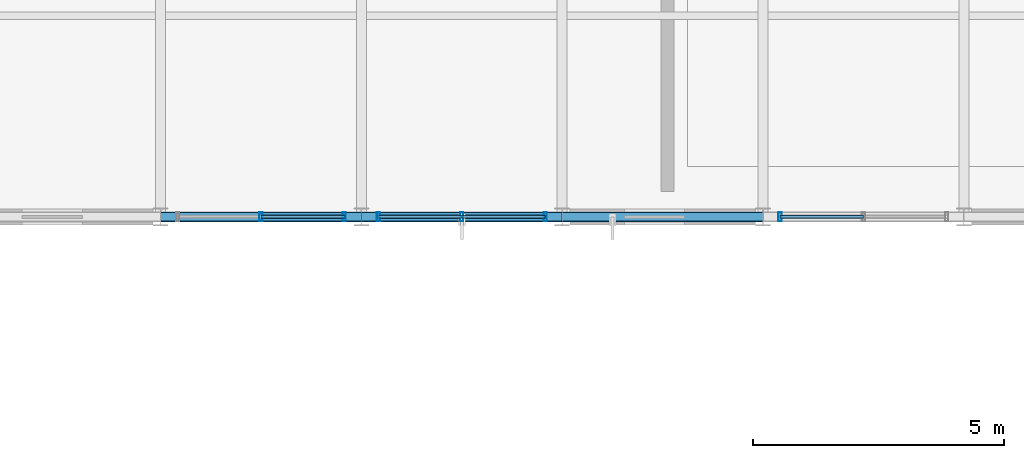
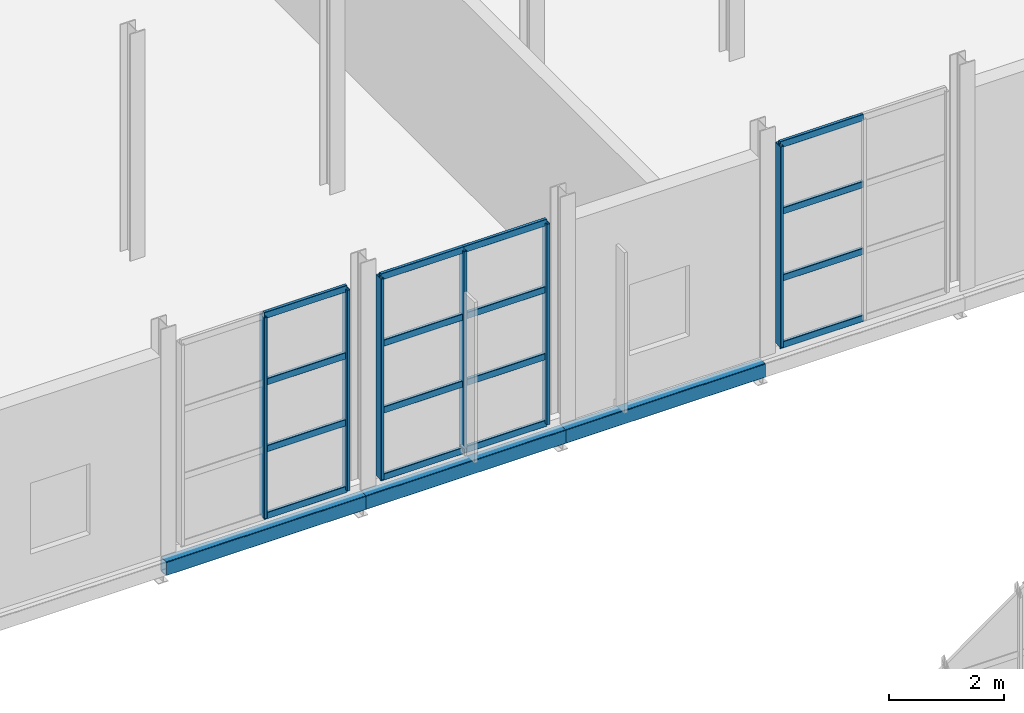
# One storey, part 92 of 143: 22 members, 3 beams, 3 elements without a shape of their own.
"""IFC4 building model written with IfcOpenShell, lengths in metres."""

import ifcopenshell
import ifcopenshell.guid

model = None  # the IFC model being written
_history = None  # IfcOwnerHistory: only IFC2X3 demands one
_inside = {}  # id of a spatial element -> (the spatial element, [elements in it])
_under = {}  # id of a project, library or spatial element -> (it, [spatial elements below it])
_declared = {}  # id of a project -> (the project, [libraries it declares])
_typed = {}  # id of a type object -> (the type object, [elements of that type])
_made_of = {}  # id of a material, layer set ... -> (it, [elements and type objects made of it])


def new_model(schema):
    """Start an empty IFC model of exactly this schema.

    Asked for "IFC4X3", IfcOpenShell would pick the latest addendum, in which some entities
    have other attributes; the version numbers below select the first issue.
    IFC2X3 requires an IfcOwnerHistory on every rooted entity: one is made here for all.
    """
    global model, _history
    if schema == "IFC4X3":
        model = ifcopenshell.file(schema_version=(4, 3, 0, 0))
    else:
        model = ifcopenshell.file(schema=schema)
    _inside.clear()
    _under.clear()
    _declared.clear()
    _typed.clear()
    _made_of.clear()
    _history = None
    if model.schema == "IFC2X3":
        org = make("IfcOrganization", Name="unknown")
        user = make(
            "IfcPersonAndOrganization",
            ThePerson=make("IfcPerson", FamilyName="unknown"),
            TheOrganization=org,
        )
        app = make(
            "IfcApplication",
            ApplicationDeveloper=org,
            Version="unknown",
            ApplicationFullName="unknown",
            ApplicationIdentifier="unknown",
        )
        _history = make(
            "IfcOwnerHistory",
            OwningUser=user,
            OwningApplication=app,
            ChangeAction="ADDED",
            CreationDate=0,
        )
    return model


def make(cls, **values):
    """One entity of the class cls with the attributes given. An attribute that is None is left unset."""
    return model.create_entity(
        cls, **{name: value for name, value in values.items() if value is not None}
    )


def rooted(cls, **values):
    """An entity with a GlobalId (a new one), such as an element, a storey or a relation."""
    return make(cls, GlobalId=ifcopenshell.guid.new(), OwnerHistory=_history, **values)


def si_unit(unit_type, name, prefix=None):
    """IfcSIUnit, for example si_unit("LENGTHUNIT", "METRE", prefix="MILLI")."""
    return make("IfcSIUnit", UnitType=unit_type, Prefix=prefix, Name=name)


def derived_unit(unit_type, elements):
    """IfcDerivedUnit: a product of units, each with its exponent."""
    return make(
        "IfcDerivedUnit",
        Elements=[
            make("IfcDerivedUnitElement", Unit=unit, Exponent=power)
            for unit, power in elements
        ],
        UnitType=unit_type,
    )


def assignment(units):
    """IfcUnitAssignment: the units of a project."""
    return None if units is None else make("IfcUnitAssignment", Units=units)


def point(xyz):
    """IfcCartesianPoint."""
    return None if xyz is None else make("IfcCartesianPoint", Coordinates=xyz)


def direction(xyz):
    """IfcDirection."""
    return None if xyz is None else make("IfcDirection", DirectionRatios=xyz)


def frame(location, z_axis=None, x_axis=None):
    """IfcAxis2Placement3D, a coordinate frame: its origin and axes. An axis left out is left unset."""
    return make(
        "IfcAxis2Placement3D",
        Location=point(location),
        Axis=direction(z_axis),
        RefDirection=direction(x_axis),
    )


def frame_2d(location, x_axis=None):
    """IfcAxis2Placement2D, a coordinate frame in the plane: its origin and x axis."""
    return make(
        "IfcAxis2Placement2D", Location=point(location), RefDirection=direction(x_axis)
    )


def origin():
    """The frame at (0, 0, 0) with its axes left unset."""
    return frame((0.0, 0.0, 0.0))


def origin_2d():
    """The frame at (0, 0) in the plane with its x axis left unset."""
    return frame_2d((0.0, 0.0))


def place(relative_to, where):
    """IfcLocalPlacement: puts the frame where relative to a parent placement (None: the world)."""
    return make(
        "IfcLocalPlacement", PlacementRelTo=relative_to, RelativePlacement=where
    )


def context(
    kind, dimensions, precision=None, world=None, true_north=None, identifier=None
):
    """IfcGeometricRepresentationContext, for example the 3D "Model" context."""
    return make(
        "IfcGeometricRepresentationContext",
        ContextIdentifier=identifier,
        ContextType=kind,
        CoordinateSpaceDimension=dimensions,
        Precision=precision,
        WorldCoordinateSystem=world,
        TrueNorth=true_north,
    )


def subcontext(parent, identifier, kind, view, scale=None):
    """IfcGeometricRepresentationSubContext, for example "Body" below "Model"."""
    return make(
        "IfcGeometricRepresentationSubContext",
        ContextIdentifier=identifier,
        ContextType=kind,
        ParentContext=parent,
        TargetScale=scale,
        TargetView=view,
    )


def project(units=None, contexts=None):
    """IfcProject with its units and contexts."""
    return rooted(
        "IfcProject",
        Name="project",
        RepresentationContexts=contexts,
        UnitsInContext=assignment(units),
    )


def spatial(cls, under=None, at=None, **own):
    """A site, building, storey or space (cls), placed at a placement, below another one or the project."""
    s = rooted(cls, ObjectPlacement=at, **own)
    if under is not None:
        _under.setdefault(under.id(), (under, []))[1].append(s)
    return s


def profile(cls, at=None, kind="AREA", **sizes):
    """A parametric profile (cls). Its sizes go by their IFC names, for example OverallWidth=200.0."""
    return make(cls, ProfileType=kind, Position=at, **sizes)


def hollow_rectangle(**sizes):
    """IfcRectangleHollowProfileDef."""
    return profile("IfcRectangleHollowProfileDef", **sizes)


def extrude(swept, where, along, depth):
    """IfcExtrudedAreaSolid: the profile swept, set in the frame where, extruded along a direction by depth."""
    return make(
        "IfcExtrudedAreaSolid",
        SweptArea=swept,
        Position=where,
        ExtrudedDirection=direction(along),
        Depth=depth,
    )


def shape(context_of_items, identifier, shape_type, items):
    """IfcShapeRepresentation: the items that make up one representation, for example the "Body"."""
    return make(
        "IfcShapeRepresentation",
        ContextOfItems=context_of_items,
        RepresentationIdentifier=identifier,
        RepresentationType=shape_type,
        Items=items,
    )


def material(Name=None, Category=None):
    """IfcMaterial."""
    return make("IfcMaterial", Name=Name, Category=Category)


def material_profile(
    of_material, cross_section, Name=None, Category=None, Priority=None
):
    """IfcMaterialProfile: a cross section and its material."""
    return make(
        "IfcMaterialProfile",
        Name=Name,
        Material=of_material,
        Profile=cross_section,
        Priority=Priority,
        Category=Category,
    )


def profile_set(profiles, Name=None, composite=None):
    """IfcMaterialProfileSet."""
    return make(
        "IfcMaterialProfileSet",
        Name=Name,
        MaterialProfiles=profiles,
        CompositeProfile=composite,
    )


def made_of(thing, what):
    """Note that an element or type object is made of a material, layer set ...; save() writes the relation."""
    if what is not None:
        _made_of.setdefault(what.id(), (what, []))[1].append(thing)
    return thing


def type_object(cls, material=None, **own):
    """A type object (cls), such as IfcWallType, which elements share."""
    return made_of(rooted(cls, **own), material)


def element(
    cls,
    number,
    at=None,
    inside=None,
    cuts=None,
    type_object=None,
    material=None,
    context=None,
    identifier="Body",
    shape_type=None,
    held_by="IfcProductDefinitionShape",
    body=None,
    shapes=None,
    **own,
):
    """One element of the class cls, such as IfcWall. Its Tag is "e" and its number.

    at: its placement. inside: the storey or other place that contains it. cuts: it is an
    opening in that element (IfcRelVoidsElement). A single representation is given by context,
    identifier, shape_type and body (its items); several are given by shapes. held_by: the class
    of the entity that holds the representations. save() writes the other relations.
    """
    e = rooted(cls, Tag="e%d" % number, ObjectPlacement=at, **own)
    if body is not None:
        shapes = [shape(context, identifier, shape_type, body)]
    if shapes is not None:
        e.Representation = make(held_by, Representations=shapes)
    if inside is not None:
        _inside.setdefault(inside.id(), (inside, []))[1].append(e)
    if cuts is not None:
        rooted(
            "IfcRelVoidsElement", RelatingBuildingElement=cuts, RelatedOpeningElement=e
        )
    if type_object is not None:
        _typed.setdefault(type_object.id(), (type_object, []))[1].append(e)
    return made_of(e, material)


def aggregate(whole, parts):
    """IfcRelAggregates: a whole, such as a stair, and the parts it consists of."""
    return rooted("IfcRelAggregates", RelatingObject=whole, RelatedObjects=parts)


def save(model, path):
    """Write the relations noted so far, then the file.

    IfcRelAggregates (storeys below a building ...), IfcRelContainedInSpatialStructure (elements
    in a storey), IfcRelDefinesByType, IfcRelAssociatesMaterial and IfcRelDeclares: one each for
    every whole, place, type object, material and project.
    """
    for whole, parts in _under.values():
        aggregate(whole, parts)
    for where, things in _inside.values():
        rooted(
            "IfcRelContainedInSpatialStructure",
            RelatedElements=things,
            RelatingStructure=where,
        )
    for kind, things in _typed.values():
        rooted("IfcRelDefinesByType", RelatedObjects=things, RelatingType=kind)
    for what, things in _made_of.values():
        rooted("IfcRelAssociatesMaterial", RelatedObjects=things, RelatingMaterial=what)
    for by, libraries in _declared.values():
        rooted("IfcRelDeclares", RelatingContext=by, RelatedDefinitions=libraries)
    model.write(path)


model = new_model("IFC4")

# Units and contexts
model_context = context("Model", 3, precision=1e-05, world=origin(), true_north=direction((0.0, 1.0)))
body_context = subcontext(model_context, "Body", "Model", "MODEL_VIEW")
ifc_project = project(units=[si_unit("LENGTHUNIT", "METRE"), si_unit("AREAUNIT", "SQUARE_METRE"), si_unit("VOLUMEUNIT", "CUBIC_METRE"), si_unit("PLANEANGLEUNIT", "RADIAN"), si_unit("MASSUNIT", "GRAM", prefix="KILO"), derived_unit("THERMALTRANSMITTANCEUNIT", [(si_unit("POWERUNIT", "WATT"), 1), (si_unit("LENGTHUNIT", "METRE"), -2), (si_unit("THERMODYNAMICTEMPERATUREUNIT", "KELVIN"), -1)])], contexts=[model_context])

# Site, building, storey
site_placement = place(None, origin())
site = spatial("IfcSite", under=ifc_project, at=site_placement, CompositionType="ELEMENT")
building_placement = place(site_placement, origin())
building = spatial("IfcBuilding", under=site, at=building_placement, Name="Keldorne Ridge Multi-Sports Centre", CompositionType="ELEMENT")
storey_placement = place(building_placement, frame((0.0, 0.0, 4.800048828125)))
storey = spatial("IfcBuildingStorey", under=building, at=storey_placement, Name="L01", CompositionType="ELEMENT", Elevation=4.800048828125)

# Beams
ifc_material_1 = material(Name="Steel S355", Category="steel")
ifc_material_profile_1 = material_profile(ifc_material_1, hollow_rectangle(XDim=0.199951171875, YDim=0.300048828125, WallThickness=0.012451171875, InnerFilletRadius=0.012451171875, OuterFilletRadius=0.02490234375, at=origin_2d()), Name="RHS 300x200x12.5")
ifc_profile_set_1 = profile_set([ifc_material_profile_1], Name="Steel S355")
beam_type = type_object("IfcBeamType", Name="BM-SP-01", PredefinedType="SPANDREL", material=ifc_profile_set_1)
for number, where, z_axis, x_axis, name in (
    (1, (132.0, 66.0, -0.3701171875), (1.0, 0.0, 0.0), (0.0, 1.0, 0.0), "L01 primary beam 6.66"),
    (2, (136.0, 66.0, -0.3701171875), (1.0, 0.0, 0.0), (0.0, 1.0, 0.0), "L01 primary beam 7.66"),
    (3, (140.0, 66.0, -0.3701171875), (1.0, 0.0, 0.0), (0.0, 1.0, 0.0), "L01 primary beam 8.66"),
):
    element("IfcBeam", number, at=place(storey_placement, frame(where, z_axis=z_axis, x_axis=x_axis)), inside=storey, type_object=beam_type, Name=name, PredefinedType="SPANDREL", context=body_context, shape_type="SweptSolid", body=[
        extrude(hollow_rectangle(XDim=0.199951171875, YDim=0.300048828125, WallThickness=0.012451171875, InnerFilletRadius=0.012451171875, OuterFilletRadius=0.02490234375, at=origin_2d()), origin(), (0.0, 0.0, 1.0), 4.0),
    ])

# Curtain wall, members
ifc_material_2 = material(Name="Anodized aluminium", Category="aluminium")
curtain_wall_type_1 = type_object("IfcCurtainWallType", Name="CW-CW-04", PredefinedType="NOTDEFINED", material=ifc_material_2)
curtain_wall_1_placement = place(storey_placement, origin())
curtain_wall_1 = element("IfcCurtainWall", 4, at=curtain_wall_1_placement, inside=storey, type_object=curtain_wall_type_1, Name="East Wing L01 south curtain wall 140", PredefinedType="NOTDEFINED")
ifc_material_profile_2 = material_profile(ifc_material_2, hollow_rectangle(XDim=0.06494140625, YDim=0.179931640625, WallThickness=0.00439453125, InnerFilletRadius=0.00439453125, OuterFilletRadius=0.009033203125, at=origin_2d()), Name="ALU MULLION 180x65x4.5")
ifc_profile_set_2 = profile_set([ifc_material_profile_2], Name="Anodized aluminium")
member_type_1 = type_object("IfcMemberType", Name="MEM-ML-01", PredefinedType="MULLION", material=ifc_profile_set_2)
member_1_placement = place(storey_placement, frame((134.0, 66.0, 0.0), z_axis=(0.0, 0.0, 1.0), x_axis=(1.0, 0.0, 0.0)))
member_1 = element("IfcMember", 5, at=member_1_placement, type_object=member_type_1, Name="CW-140 vertical mullion 2", PredefinedType="MULLION", context=body_context, shape_type="SweptSolid", body=[
    extrude(hollow_rectangle(XDim=0.06494140625, YDim=0.179931640625, WallThickness=0.00439453125, InnerFilletRadius=0.00439453125, OuterFilletRadius=0.009033203125, at=origin_2d()), origin(), (0.0, 0.0, 1.0), 4.25),
])
member_2_placement = place(storey_placement, frame((135.659912109375, 66.0, 0.0), z_axis=(0.0, 0.0, 1.0), x_axis=(1.0, 0.0, 0.0)))
member_2 = element("IfcMember", 6, at=member_2_placement, type_object=member_type_1, Name="CW-140 vertical mullion 3", PredefinedType="MULLION", context=body_context, shape_type="SweptSolid", body=[
    extrude(hollow_rectangle(XDim=0.06494140625, YDim=0.179931640625, WallThickness=0.00439453125, InnerFilletRadius=0.00439453125, OuterFilletRadius=0.009033203125, at=origin_2d()), origin(), (0.0, 0.0, 1.0), 4.25),
])

curtain_wall_type_2 = type_object("IfcCurtainWallType", Name="CW-CW-05", PredefinedType="NOTDEFINED", material=ifc_material_2)
curtain_wall_2_placement = place(storey_placement, origin())
curtain_wall_2 = element("IfcCurtainWall", 7, at=curtain_wall_2_placement, inside=storey, type_object=curtain_wall_type_2, Name="East Wing L01 south curtain wall 141", PredefinedType="NOTDEFINED")
member_3_placement = place(storey_placement, frame((136.340087890625, 66.0, 0.0), z_axis=(0.0, 0.0, 1.0), x_axis=(1.0, 0.0, 0.0)))
member_3 = element("IfcMember", 8, at=member_3_placement, type_object=member_type_1, Name="CW-141 vertical mullion 1", PredefinedType="MULLION", context=body_context, shape_type="SweptSolid", body=[
    extrude(hollow_rectangle(XDim=0.06494140625, YDim=0.179931640625, WallThickness=0.00439453125, InnerFilletRadius=0.00439453125, OuterFilletRadius=0.009033203125, at=origin_2d()), origin(), (0.0, 0.0, 1.0), 4.25),
])
member_4_placement = place(storey_placement, frame((138.0, 66.0, 0.0), z_axis=(0.0, 0.0, 1.0), x_axis=(1.0, 0.0, 0.0)))
member_4 = element("IfcMember", 9, at=member_4_placement, type_object=member_type_1, Name="CW-141 vertical mullion 2", PredefinedType="MULLION", context=body_context, shape_type="SweptSolid", body=[
    extrude(hollow_rectangle(XDim=0.06494140625, YDim=0.179931640625, WallThickness=0.00439453125, InnerFilletRadius=0.00439453125, OuterFilletRadius=0.009033203125, at=origin_2d()), origin(), (0.0, 0.0, 1.0), 4.25),
])
member_5_placement = place(storey_placement, frame((139.659912109375, 66.0, 0.0), z_axis=(0.0, 0.0, 1.0), x_axis=(1.0, 0.0, 0.0)))
member_5 = element("IfcMember", 10, at=member_5_placement, type_object=member_type_1, Name="CW-141 vertical mullion 3", PredefinedType="MULLION", context=body_context, shape_type="SweptSolid", body=[
    extrude(hollow_rectangle(XDim=0.06494140625, YDim=0.179931640625, WallThickness=0.00439453125, InnerFilletRadius=0.00439453125, OuterFilletRadius=0.009033203125, at=origin_2d()), origin(), (0.0, 0.0, 1.0), 4.25),
])

# Curtain wall, member
curtain_wall_type_3 = type_object("IfcCurtainWallType", Name="CW-CW-06", PredefinedType="NOTDEFINED", material=ifc_material_2)
curtain_wall_3_placement = place(storey_placement, origin())
curtain_wall_3 = element("IfcCurtainWall", 11, at=curtain_wall_3_placement, inside=storey, type_object=curtain_wall_type_3, Name="East Wing L01 south curtain wall 142", PredefinedType="NOTDEFINED")
member_6_placement = place(storey_placement, frame((144.340087890625, 66.0, 0.0), z_axis=(0.0, 0.0, 1.0), x_axis=(1.0, 0.0, 0.0)))
member_6 = element("IfcMember", 12, at=member_6_placement, type_object=member_type_1, Name="CW-142 vertical mullion 1", PredefinedType="MULLION", context=body_context, shape_type="SweptSolid", body=[
    extrude(hollow_rectangle(XDim=0.06494140625, YDim=0.179931640625, WallThickness=0.00439453125, InnerFilletRadius=0.00439453125, OuterFilletRadius=0.009033203125, at=origin_2d()), origin(), (0.0, 0.0, 1.0), 4.25),
])

# Member
ifc_material_profile_3 = material_profile(ifc_material_2, hollow_rectangle(XDim=0.06494140625, YDim=0.139892578125, WallThickness=0.00439453125, InnerFilletRadius=0.00439453125, OuterFilletRadius=0.009033203125, at=origin_2d()), Name="ALU TRANSOM 140x65x4.5")
ifc_profile_set_3 = profile_set([ifc_material_profile_3], Name="Anodized aluminium")
member_type_2 = type_object("IfcMemberType", Name="MEM-TR-01", PredefinedType="USERDEFINED", material=ifc_profile_set_3)
member_7_placement = place(storey_placement, frame((134.0, 66.0, 0.0), z_axis=(1.0, 0.0, 0.0), x_axis=(0.0, 1.0, 0.0)))
member_7 = element("IfcMember", 13, at=member_7_placement, type_object=member_type_2, Name="CW-140 transom 2.1", ObjectType="TRANSOM", PredefinedType="USERDEFINED", context=body_context, shape_type="SweptSolid", body=[
    extrude(hollow_rectangle(XDim=0.06494140625, YDim=0.139892578125, WallThickness=0.00439453125, InnerFilletRadius=0.00439453125, OuterFilletRadius=0.009033203125, at=origin_2d()), origin(), (0.0, 0.0, 1.0), 1.659912109375),
])

member_8_placement = place(storey_placement, frame((134.0, 66.0, 1.416748046875), z_axis=(1.0, 0.0, 0.0), x_axis=(0.0, 1.0, 0.0)))
member_8 = element("IfcMember", 14, at=member_8_placement, type_object=member_type_2, Name="CW-140 transom 2.2", ObjectType="TRANSOM", PredefinedType="USERDEFINED", context=body_context, shape_type="SweptSolid", body=[
    extrude(hollow_rectangle(XDim=0.06494140625, YDim=0.139892578125, WallThickness=0.00439453125, InnerFilletRadius=0.00439453125, OuterFilletRadius=0.009033203125, at=origin_2d()), origin(), (0.0, 0.0, 1.0), 1.659912109375),
])

member_9_placement = place(storey_placement, frame((134.0, 66.0, 2.833251953125), z_axis=(1.0, 0.0, 0.0), x_axis=(0.0, 1.0, 0.0)))
member_9 = element("IfcMember", 15, at=member_9_placement, type_object=member_type_2, Name="CW-140 transom 2.3", ObjectType="TRANSOM", PredefinedType="USERDEFINED", context=body_context, shape_type="SweptSolid", body=[
    extrude(hollow_rectangle(XDim=0.06494140625, YDim=0.139892578125, WallThickness=0.00439453125, InnerFilletRadius=0.00439453125, OuterFilletRadius=0.009033203125, at=origin_2d()), origin(), (0.0, 0.0, 1.0), 1.659912109375),
])

member_10_placement = place(storey_placement, frame((134.0, 66.0, 4.25), z_axis=(1.0, 0.0, 0.0), x_axis=(0.0, 1.0, 0.0)))
member_10 = element("IfcMember", 16, at=member_10_placement, type_object=member_type_2, Name="CW-140 transom 2.4", ObjectType="TRANSOM", PredefinedType="USERDEFINED", context=body_context, shape_type="SweptSolid", body=[
    extrude(hollow_rectangle(XDim=0.06494140625, YDim=0.139892578125, WallThickness=0.00439453125, InnerFilletRadius=0.00439453125, OuterFilletRadius=0.009033203125, at=origin_2d()), origin(), (0.0, 0.0, 1.0), 1.659912109375),
])

aggregate(curtain_wall_1, [member_1, member_2, member_7, member_8, member_9, member_10])

member_11_placement = place(storey_placement, frame((136.340087890625, 66.0, 0.0), z_axis=(1.0, 0.0, 0.0), x_axis=(0.0, 1.0, 0.0)))
member_11 = element("IfcMember", 17, at=member_11_placement, type_object=member_type_2, Name="CW-141 transom 1.1", ObjectType="TRANSOM", PredefinedType="USERDEFINED", context=body_context, shape_type="SweptSolid", body=[
    extrude(hollow_rectangle(XDim=0.06494140625, YDim=0.139892578125, WallThickness=0.00439453125, InnerFilletRadius=0.00439453125, OuterFilletRadius=0.009033203125, at=origin_2d()), origin(), (0.0, 0.0, 1.0), 1.659912109375),
])

member_12_placement = place(storey_placement, frame((136.340087890625, 66.0, 1.416748046875), z_axis=(1.0, 0.0, 0.0), x_axis=(0.0, 1.0, 0.0)))
member_12 = element("IfcMember", 18, at=member_12_placement, type_object=member_type_2, Name="CW-141 transom 1.2", ObjectType="TRANSOM", PredefinedType="USERDEFINED", context=body_context, shape_type="SweptSolid", body=[
    extrude(hollow_rectangle(XDim=0.06494140625, YDim=0.139892578125, WallThickness=0.00439453125, InnerFilletRadius=0.00439453125, OuterFilletRadius=0.009033203125, at=origin_2d()), origin(), (0.0, 0.0, 1.0), 1.659912109375),
])

member_13_placement = place(storey_placement, frame((136.340087890625, 66.0, 2.833251953125), z_axis=(1.0, 0.0, 0.0), x_axis=(0.0, 1.0, 0.0)))
member_13 = element("IfcMember", 19, at=member_13_placement, type_object=member_type_2, Name="CW-141 transom 1.3", ObjectType="TRANSOM", PredefinedType="USERDEFINED", context=body_context, shape_type="SweptSolid", body=[
    extrude(hollow_rectangle(XDim=0.06494140625, YDim=0.139892578125, WallThickness=0.00439453125, InnerFilletRadius=0.00439453125, OuterFilletRadius=0.009033203125, at=origin_2d()), origin(), (0.0, 0.0, 1.0), 1.659912109375),
])

member_14_placement = place(storey_placement, frame((136.340087890625, 66.0, 4.25), z_axis=(1.0, 0.0, 0.0), x_axis=(0.0, 1.0, 0.0)))
member_14 = element("IfcMember", 20, at=member_14_placement, type_object=member_type_2, Name="CW-141 transom 1.4", ObjectType="TRANSOM", PredefinedType="USERDEFINED", context=body_context, shape_type="SweptSolid", body=[
    extrude(hollow_rectangle(XDim=0.06494140625, YDim=0.139892578125, WallThickness=0.00439453125, InnerFilletRadius=0.00439453125, OuterFilletRadius=0.009033203125, at=origin_2d()), origin(), (0.0, 0.0, 1.0), 1.659912109375),
])

member_15_placement = place(storey_placement, frame((138.0, 66.0, 0.0), z_axis=(1.0, 0.0, 0.0), x_axis=(0.0, 1.0, 0.0)))
member_15 = element("IfcMember", 21, at=member_15_placement, type_object=member_type_2, Name="CW-141 transom 2.1", ObjectType="TRANSOM", PredefinedType="USERDEFINED", context=body_context, shape_type="SweptSolid", body=[
    extrude(hollow_rectangle(XDim=0.06494140625, YDim=0.139892578125, WallThickness=0.00439453125, InnerFilletRadius=0.00439453125, OuterFilletRadius=0.009033203125, at=origin_2d()), origin(), (0.0, 0.0, 1.0), 1.659912109375),
])

member_16_placement = place(storey_placement, frame((138.0, 66.0, 1.416748046875), z_axis=(1.0, 0.0, 0.0), x_axis=(0.0, 1.0, 0.0)))
member_16 = element("IfcMember", 22, at=member_16_placement, type_object=member_type_2, Name="CW-141 transom 2.2", ObjectType="TRANSOM", PredefinedType="USERDEFINED", context=body_context, shape_type="SweptSolid", body=[
    extrude(hollow_rectangle(XDim=0.06494140625, YDim=0.139892578125, WallThickness=0.00439453125, InnerFilletRadius=0.00439453125, OuterFilletRadius=0.009033203125, at=origin_2d()), origin(), (0.0, 0.0, 1.0), 1.659912109375),
])

member_17_placement = place(storey_placement, frame((138.0, 66.0, 2.833251953125), z_axis=(1.0, 0.0, 0.0), x_axis=(0.0, 1.0, 0.0)))
member_17 = element("IfcMember", 23, at=member_17_placement, type_object=member_type_2, Name="CW-141 transom 2.3", ObjectType="TRANSOM", PredefinedType="USERDEFINED", context=body_context, shape_type="SweptSolid", body=[
    extrude(hollow_rectangle(XDim=0.06494140625, YDim=0.139892578125, WallThickness=0.00439453125, InnerFilletRadius=0.00439453125, OuterFilletRadius=0.009033203125, at=origin_2d()), origin(), (0.0, 0.0, 1.0), 1.659912109375),
])

member_18_placement = place(storey_placement, frame((138.0, 66.0, 4.25), z_axis=(1.0, 0.0, 0.0), x_axis=(0.0, 1.0, 0.0)))
member_18 = element("IfcMember", 24, at=member_18_placement, type_object=member_type_2, Name="CW-141 transom 2.4", ObjectType="TRANSOM", PredefinedType="USERDEFINED", context=body_context, shape_type="SweptSolid", body=[
    extrude(hollow_rectangle(XDim=0.06494140625, YDim=0.139892578125, WallThickness=0.00439453125, InnerFilletRadius=0.00439453125, OuterFilletRadius=0.009033203125, at=origin_2d()), origin(), (0.0, 0.0, 1.0), 1.659912109375),
])

aggregate(curtain_wall_2, [member_3, member_4, member_5, member_11, member_12, member_13, member_14, member_15, member_16, member_17, member_18])

member_19_placement = place(storey_placement, frame((144.340087890625, 66.0, 0.0), z_axis=(1.0, 0.0, 0.0), x_axis=(0.0, 1.0, 0.0)))
member_19 = element("IfcMember", 25, at=member_19_placement, type_object=member_type_2, Name="CW-142 transom 1.1", ObjectType="TRANSOM", PredefinedType="USERDEFINED", context=body_context, shape_type="SweptSolid", body=[
    extrude(hollow_rectangle(XDim=0.06494140625, YDim=0.139892578125, WallThickness=0.00439453125, InnerFilletRadius=0.00439453125, OuterFilletRadius=0.009033203125, at=origin_2d()), origin(), (0.0, 0.0, 1.0), 1.659912109375),
])

member_20_placement = place(storey_placement, frame((144.340087890625, 66.0, 1.416748046875), z_axis=(1.0, 0.0, 0.0), x_axis=(0.0, 1.0, 0.0)))
member_20 = element("IfcMember", 26, at=member_20_placement, type_object=member_type_2, Name="CW-142 transom 1.2", ObjectType="TRANSOM", PredefinedType="USERDEFINED", context=body_context, shape_type="SweptSolid", body=[
    extrude(hollow_rectangle(XDim=0.06494140625, YDim=0.139892578125, WallThickness=0.00439453125, InnerFilletRadius=0.00439453125, OuterFilletRadius=0.009033203125, at=origin_2d()), origin(), (0.0, 0.0, 1.0), 1.659912109375),
])

member_21_placement = place(storey_placement, frame((144.340087890625, 66.0, 2.833251953125), z_axis=(1.0, 0.0, 0.0), x_axis=(0.0, 1.0, 0.0)))
member_21 = element("IfcMember", 27, at=member_21_placement, type_object=member_type_2, Name="CW-142 transom 1.3", ObjectType="TRANSOM", PredefinedType="USERDEFINED", context=body_context, shape_type="SweptSolid", body=[
    extrude(hollow_rectangle(XDim=0.06494140625, YDim=0.139892578125, WallThickness=0.00439453125, InnerFilletRadius=0.00439453125, OuterFilletRadius=0.009033203125, at=origin_2d()), origin(), (0.0, 0.0, 1.0), 1.659912109375),
])

member_22_placement = place(storey_placement, frame((144.340087890625, 66.0, 4.25), z_axis=(1.0, 0.0, 0.0), x_axis=(0.0, 1.0, 0.0)))
member_22 = element("IfcMember", 28, at=member_22_placement, type_object=member_type_2, Name="CW-142 transom 1.4", ObjectType="TRANSOM", PredefinedType="USERDEFINED", context=body_context, shape_type="SweptSolid", body=[
    extrude(hollow_rectangle(XDim=0.06494140625, YDim=0.139892578125, WallThickness=0.00439453125, InnerFilletRadius=0.00439453125, OuterFilletRadius=0.009033203125, at=origin_2d()), origin(), (0.0, 0.0, 1.0), 1.659912109375),
])

aggregate(curtain_wall_3, [member_6, member_19, member_20, member_21, member_22])

save(model, "model.ifc")
